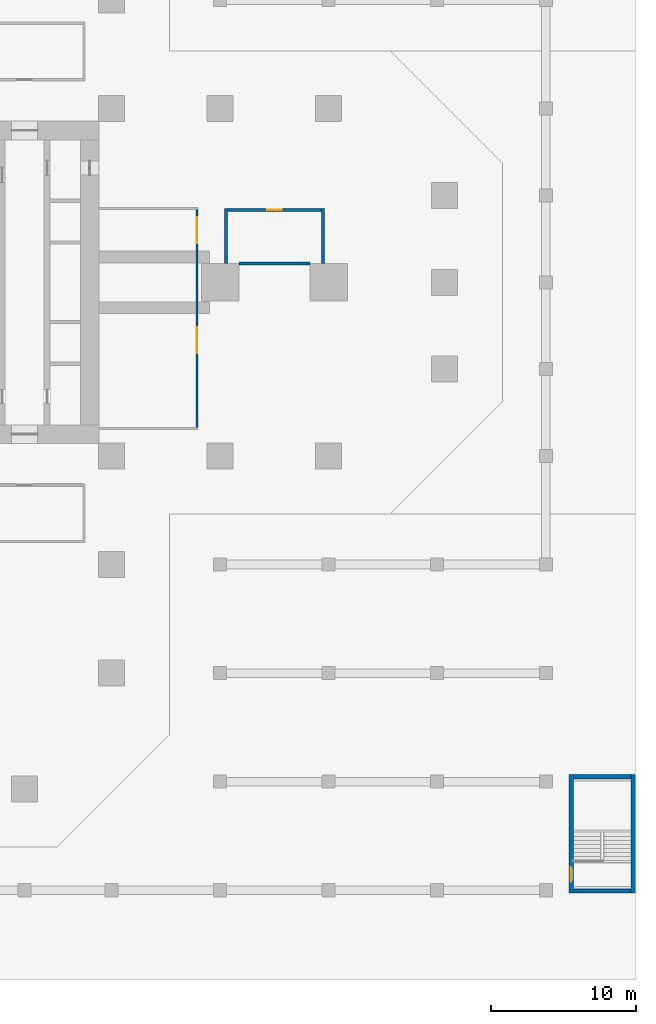
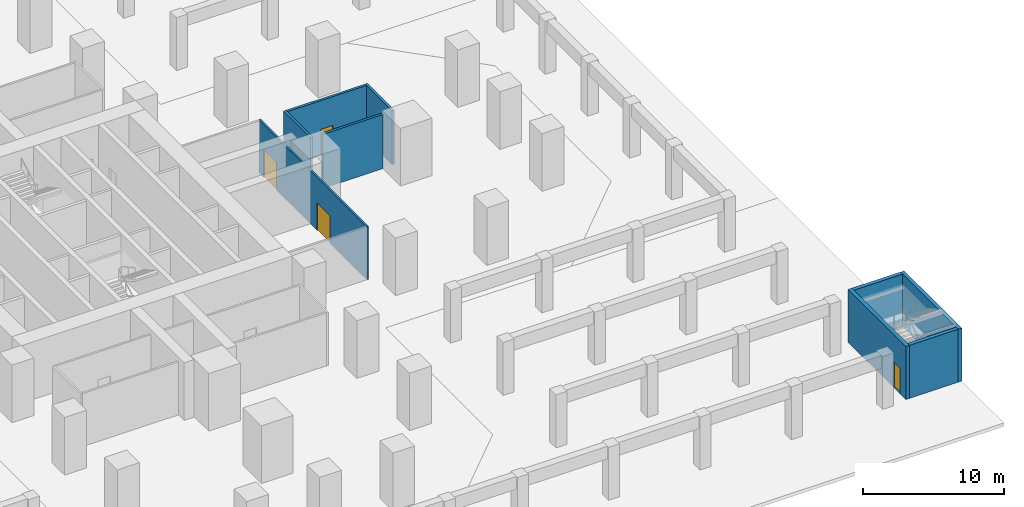
# One storey, part 7 of 20: 9 walls, 4 doors, 4 openings.
"""IFC4 building model written with IfcOpenShell, lengths in metres."""

from ifc_helpers import new_model, si_unit, direction, frame, frame_2d, origin, place, context, subcontext, project, spatial, rectangle, extrude, material, layer, layer_set, type_object, element, fill, save


model = new_model("IFC4")

# Units and contexts
model_context = context("Model", 3, precision=1e-05, world=origin(), true_north=direction((0.0, 1.0)))
body_context = subcontext(model_context, "Body", "Model", "MODEL_VIEW")
ifc_project = project(units=[si_unit("LENGTHUNIT", "METRE"), si_unit("AREAUNIT", "SQUARE_METRE"), si_unit("VOLUMEUNIT", "CUBIC_METRE"), si_unit("PLANEANGLEUNIT", "RADIAN"), si_unit("MASSUNIT", "GRAM", prefix="KILO")], contexts=[model_context])

# Site, building, storey
site_placement = place(None, origin())
site = spatial("IfcSite", under=ifc_project, at=site_placement, CompositionType="ELEMENT")
building_placement = place(site_placement, origin())
building = spatial("IfcBuilding", under=site, at=building_placement, Name="Mizan Broadcast Tower", CompositionType="ELEMENT")
storey_placement = place(building_placement, frame((0.0, 0.0, -5.0)))
storey = spatial("IfcBuildingStorey", under=building, at=storey_placement, Name="B1", CompositionType="ELEMENT", Elevation=-5.0)

# Wall, openings, doors
ifc_material_1 = material(Name="Concrete blockwork", Category="masonry")
ifc_layer_1 = layer(ifc_material_1, 0.14990234375)
ifc_layer_set_1 = layer_set([ifc_layer_1], Name="Concrete blockwork")
wall_type_1 = type_object("IfcWallType", Name="PLANT ROOM ENCLOSURE WALL 150", PredefinedType="SOLIDWALL", material=ifc_layer_set_1)
wall_1_placement = place(storey_placement, frame((17.89990234375, -10.175048828125, 0.0), z_axis=(0.0, 0.0, 1.0), x_axis=(0.0, 1.0, 0.0)))
wall_1 = element("IfcWall", 1, at=wall_1_placement, inside=storey, type_object=wall_type_1, Name="Plant room wall PT/EX", PredefinedType="SOLIDWALL", context=body_context, shape_type="SweptSolid", body=[
    extrude(rectangle(XDim=15.35009765625, YDim=0.14990234375, at=frame_2d((7.675048828125, 0.0))), origin(), (0.0, 0.0, 1.0), 4.60009765625),
])
opening_1_placement = place(wall_1_placement, frame((5.27490234375, 0.0, 0.0)))
opening_1 = element("IfcOpeningElement", 2, at=opening_1_placement, cuts=wall_1, Name="Opening D18P", PredefinedType="OPENING", context=body_context, shape_type="SweptSolid", body=[
    extrude(rectangle(XDim=1.800048828125, YDim=2.39990234375, at=frame_2d((0.89990234375, 1.199951171875))), frame((0.0, 0.0849609375, 0.0), z_axis=(0.0, -1.0, 0.0), x_axis=(1.0, 0.0, 0.0)), (0.0, 0.0, 1.0), 0.169921875),
])
opening_2_placement = place(wall_1_placement, frame((12.875, 0.0, 0.0)))
opening_2 = element("IfcOpeningElement", 3, at=opening_2_placement, cuts=wall_1, Name="Opening D18P", PredefinedType="OPENING", context=body_context, shape_type="SweptSolid", body=[
    extrude(rectangle(XDim=1.800048828125, YDim=2.39990234375, at=frame_2d((0.89990234375, 1.199951171875))), frame((0.0, 0.0849609375, 0.0), z_axis=(0.0, -1.0, 0.0), x_axis=(1.0, 0.0, 0.0)), (0.0, 0.0, 1.0), 0.169921875),
])
ifc_material_2 = material(Name="Steel door leaf in steel frame", Category="steel")
door_type_1 = type_object("IfcDoorType", Name="PLANT ROOM DOUBLE DOOR 1800x2400 FD90", OperationType="DOUBLE_DOOR_DOUBLE_SWING", PredefinedType="DOOR", material=ifc_material_2)
door_1_placement = place(opening_1_placement, origin())
door_1 = element("IfcDoor", 4, at=door_1_placement, inside=storey, type_object=door_type_1, Name="Electrical substation door", OperationType="DOUBLE_DOOR_DOUBLE_SWING", OverallHeight=2.39990234375, OverallWidth=1.800048828125, PredefinedType="DOOR", context=body_context, shape_type="SweptSolid", body=[
    extrude(rectangle(XDim=1.800048828125, YDim=2.39990234375, at=frame_2d((0.89990234375, 1.199951171875))), frame((0.0, 0.02490234375, 0.0), z_axis=(0.0, -1.0, 0.0), x_axis=(1.0, 0.0, 0.0)), (0.0, 0.0, 1.0), 0.050048828125),
])
fill(opening_1, door_1)
door_2_placement = place(opening_2_placement, origin())
door_2 = element("IfcDoor", 5, at=door_2_placement, inside=storey, type_object=door_type_1, Name="Electrical substation door", OperationType="DOUBLE_DOOR_DOUBLE_SWING", OverallHeight=2.39990234375, OverallWidth=1.800048828125, PredefinedType="DOOR", context=body_context, shape_type="SweptSolid", body=[
    extrude(rectangle(XDim=1.800048828125, YDim=2.39990234375, at=frame_2d((0.89990234375, 1.199951171875))), frame((0.0, 0.02490234375, 0.0), z_axis=(0.0, -1.0, 0.0), x_axis=(1.0, 0.0, 0.0)), (0.0, 0.0, 1.0), 0.050048828125),
])
fill(opening_2, door_2)

# Walls
ifc_material_3 = material(Name="Concrete C40/50", Category="concrete")
ifc_layer_2 = layer(ifc_material_3, 0.199951171875)
ifc_layer_set_2 = layer_set([ifc_layer_2], Name="Concrete C40/50")
wall_type_2 = type_object("IfcWallType", Name="STAIR SHAFT WALL 200 RC", PredefinedType="SOLIDWALL", material=ifc_layer_set_2)
for number, where, z_axis, x_axis, name in (
    (6, (19.89990234375, 1.300048828125, 0.0), (0.0, 0.0, 1.0), (0.0, 1.0, 0.0), "Stair shaft wall C U0 B1"),
    (7, (26.60009765625, 5.10009765625, 0.0), (0.0, 0.0, 1.0), (0.0, -1.0, 0.0), "Stair shaft wall C U1 B1"),
):
    element("IfcWall", number, at=place(storey_placement, frame(where, z_axis=z_axis, x_axis=x_axis)), inside=storey, type_object=wall_type_2, Name=name, PredefinedType="SOLIDWALL", context=body_context, shape_type="SweptSolid", body=[
        extrude(rectangle(XDim=3.800048828125, YDim=0.199951171875, at=frame_2d((1.89990234375, 0.0))), origin(), (0.0, 0.0, 1.0), 4.699951171875),
    ])
wall_2_placement = place(storey_placement, frame((20.800048828125, 1.300048828125, 0.0), z_axis=(0.0, 0.0, 1.0), x_axis=(1.0, 0.0, 0.0)))
element("IfcWall", 8, at=wall_2_placement, inside=storey, type_object=wall_type_2, Name="Stair shaft wall C V0 B1", PredefinedType="SOLIDWALL", context=body_context, shape_type="SweptSolid", body=[
    extrude(rectangle(XDim=4.89990234375, YDim=0.199951171875, at=frame_2d((2.449951171875, 0.0))), origin(), (0.0, 0.0, 1.0), 4.699951171875),
])

# Wall, opening, door
wall_3_placement = place(storey_placement, frame((26.5, 5.0, 0.0), z_axis=(0.0, 0.0, 1.0), x_axis=(-1.0, 0.0, 0.0)))
wall_3 = element("IfcWall", 9, at=wall_3_placement, inside=storey, type_object=wall_type_2, Name="Stair shaft wall C V1 B1", PredefinedType="SOLIDWALL", context=body_context, shape_type="SweptSolid", body=[
    extrude(rectangle(XDim=6.5, YDim=0.199951171875, at=frame_2d((3.25, 0.0))), origin(), (0.0, 0.0, 1.0), 4.699951171875),
])
opening_3_placement = place(wall_3_placement, frame((2.75, 0.0, 0.0)))
opening_3 = element("IfcOpeningElement", 10, at=opening_3_placement, cuts=wall_3, Name="Opening D10F", PredefinedType="OPENING", context=body_context, shape_type="SweptSolid", body=[
    extrude(rectangle(XDim=1.0, YDim=2.199951171875, at=frame_2d((0.5, 1.10009765625))), frame((0.0, 0.10986328125, 0.0), z_axis=(0.0, -1.0, 0.0), x_axis=(1.0, 0.0, 0.0)), (0.0, 0.0, 1.0), 0.219970703125),
])
ifc_material_4 = material(Name="Steel door leaf in steel frame", Category="steel")
door_type_2 = type_object("IfcDoorType", Name="FIRE DOOR 1000 FD90", OperationType="SINGLE_SWING_LEFT", PredefinedType="DOOR", material=ifc_material_4)
door_3_placement = place(opening_3_placement, origin())
door_3 = element("IfcDoor", 11, at=door_3_placement, inside=storey, type_object=door_type_2, Name="Car park store C door", OperationType="SINGLE_SWING_RIGHT", OverallHeight=2.199951171875, OverallWidth=1.0, PredefinedType="DOOR", context=body_context, shape_type="SweptSolid", body=[
    extrude(rectangle(XDim=1.0, YDim=2.199951171875, at=frame_2d((0.5, 1.10009765625))), frame((0.0, 0.02490234375, 0.0), z_axis=(0.0, -1.0, 0.0), x_axis=(1.0, 0.0, 0.0)), (0.0, 0.0, 1.0), 0.050048828125),
])
fill(opening_3, door_3)

ifc_material_5 = material(Name="Concrete C40/50", Category="concrete")
ifc_layer_3 = layer(ifc_material_5, 0.300048828125)
ifc_layer_set_3 = layer_set([ifc_layer_3], Name="Concrete C40/50")
wall_type_3 = type_object("IfcWallType", Name="STAIR SHAFT WALL 300 RC", PredefinedType="SOLIDWALL", material=ifc_layer_set_3)
wall_4_placement = place(storey_placement, frame((43.75, -42.199951171875, 0.0), z_axis=(0.0, 0.0, 1.0), x_axis=(0.0, 1.0, 0.0)))
wall_4 = element("IfcWall", 12, at=wall_4_placement, inside=storey, type_object=wall_type_3, Name="Stair shaft wall H I", PredefinedType="SOLIDWALL", context=body_context, shape_type="SweptSolid", body=[
    extrude(rectangle(XDim=8.199951171875, YDim=0.300048828125, at=frame_2d((4.10009765625, 0.0))), origin(), (0.0, 0.0, 1.0), 4.60009765625),
])
opening_4_placement = place(wall_4_placement, frame((0.800048828125, 0.0, 0.0)))
opening_4 = element("IfcOpeningElement", 13, at=opening_4_placement, cuts=wall_4, Name="Opening D10S", PredefinedType="OPENING", context=body_context, shape_type="SweptSolid", body=[
    extrude(rectangle(XDim=1.0, YDim=2.199951171875, at=frame_2d((0.5, 1.10009765625))), frame((0.0, 0.159912109375, 0.0), z_axis=(0.0, -1.0, 0.0), x_axis=(1.0, 0.0, 0.0)), (0.0, 0.0, 1.0), 0.320068359375),
])
ifc_material_6 = material(Name="Steel door leaf in steel frame", Category="steel")
door_type_3 = type_object("IfcDoorType", Name="STAIR DOOR 1000 FD90S", OperationType="SINGLE_SWING_RIGHT", PredefinedType="DOOR", material=ifc_material_6)
door_4_placement = place(opening_4_placement, origin())
door_4 = element("IfcDoor", 14, at=door_4_placement, inside=storey, type_object=door_type_3, Name="Stair H door", OperationType="SINGLE_SWING_RIGHT", OverallHeight=2.199951171875, OverallWidth=1.0, PredefinedType="DOOR", context=body_context, shape_type="SweptSolid", body=[
    extrude(rectangle(XDim=1.0, YDim=2.199951171875, at=frame_2d((0.5, 1.10009765625))), frame((0.0, 0.02490234375, 0.0), z_axis=(0.0, -1.0, 0.0), x_axis=(1.0, 0.0, 0.0)), (0.0, 0.0, 1.0), 0.050048828125),
])
fill(opening_4, door_4)

# Walls
wall_5_placement = place(storey_placement, frame((48.050048828125, -34.0, 0.0), z_axis=(0.0, 0.0, 1.0), x_axis=(0.0, -1.0, 0.0)))
element("IfcWall", 15, at=wall_5_placement, inside=storey, type_object=wall_type_3, Name="Stair shaft wall H O", PredefinedType="SOLIDWALL", context=body_context, shape_type="SweptSolid", body=[
    extrude(rectangle(XDim=8.199951171875, YDim=0.300048828125, at=frame_2d((4.10009765625, 0.0))), origin(), (0.0, 0.0, 1.0), 4.60009765625),
])
for number, where, z_axis, x_axis, name in (
    (16, (43.89990234375, -42.050048828125, 0.0), (0.0, 0.0, 1.0), (1.0, 0.0, 0.0), "Stair shaft wall H D"),
    (17, (47.89990234375, -34.14990234375, 0.0), (0.0, 0.0, 1.0), (-1.0, 0.0, 0.0), "Stair shaft wall H F"),
):
    element("IfcWall", number, at=place(storey_placement, frame(where, z_axis=z_axis, x_axis=x_axis)), inside=storey, type_object=wall_type_3, Name=name, PredefinedType="SOLIDWALL", context=body_context, shape_type="SweptSolid", body=[
        extrude(rectangle(XDim=4.0, YDim=0.300048828125, at=frame_2d((2.0, 0.0))), origin(), (0.0, 0.0, 1.0), 4.60009765625),
    ])

save(model, "model.ifc")
